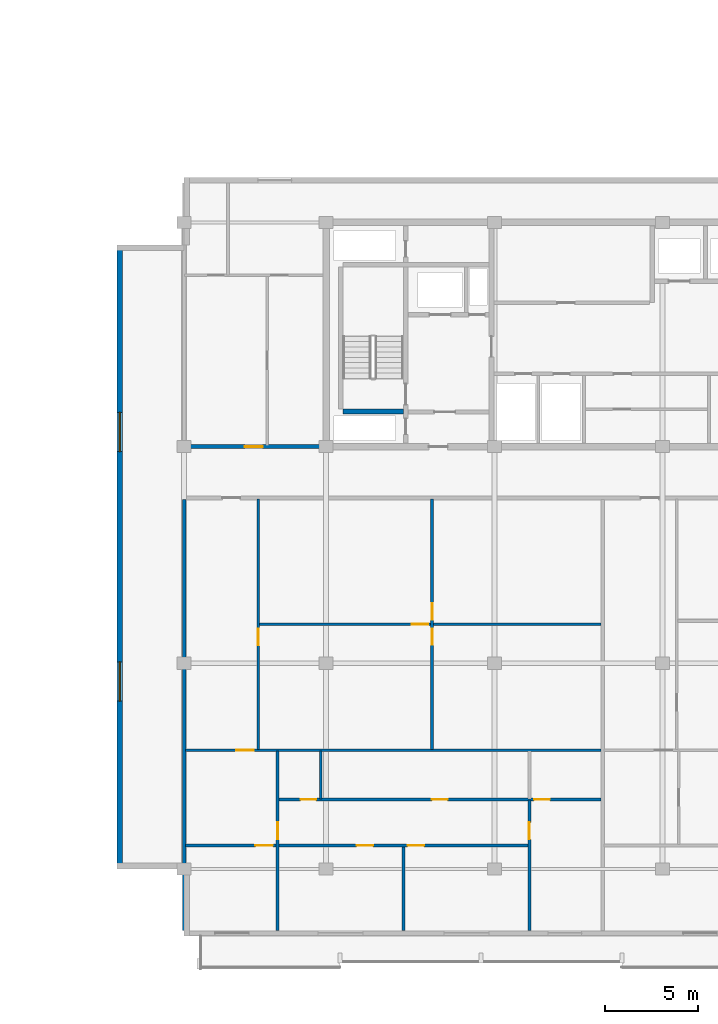
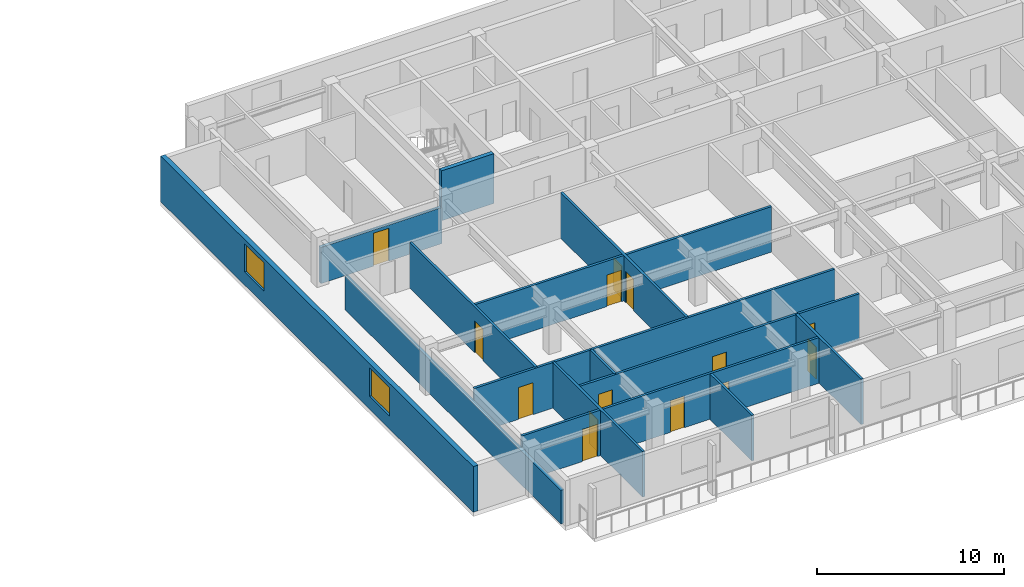
# One storey, part 4 of 22: 14 doors, 14 walls, 2 windows, 16 openings.
"""IFC4 building model written with IfcOpenShell, lengths in metres."""

from ifc_helpers import new_model, si_unit, direction, frame, frame_2d, origin, place, context, subcontext, project, spatial, rectangle, extrude, material, layer, layer_set, type_object, element, fill, save


model = new_model("IFC4")

# Units and contexts
model_context = context("Model", 3, precision=1e-05, world=origin(), true_north=direction((0.0, 1.0)))
body_context = subcontext(model_context, "Body", "Model", "MODEL_VIEW")
ifc_project = project(units=[si_unit("LENGTHUNIT", "METRE"), si_unit("AREAUNIT", "SQUARE_METRE"), si_unit("VOLUMEUNIT", "CUBIC_METRE"), si_unit("PLANEANGLEUNIT", "RADIAN"), si_unit("MASSUNIT", "GRAM", prefix="KILO")], contexts=[model_context])

# Site, building, storey
site_placement = place(None, origin())
site = spatial("IfcSite", under=ifc_project, at=site_placement, CompositionType="ELEMENT")
building_placement = place(site_placement, origin())
building = spatial("IfcBuilding", under=site, at=building_placement, Name="Korimba Cascade Residences", CompositionType="ELEMENT")
storey_placement = place(building_placement, frame((0.0, 0.0, 191.35009765625)))
storey = spatial("IfcBuildingStorey", under=building, at=storey_placement, Name="L55", CompositionType="ELEMENT", Elevation=191.35009765625)

# Wall, openings, windows
ifc_material_1 = material(Name="Precast concrete C40/50", Category="concrete")
ifc_layer_1 = layer(ifc_material_1, 0.300048828125)
ifc_layer_set_1 = layer_set([ifc_layer_1], Name="Precast concrete C40/50")
wall_type_1 = type_object("IfcWallType", Name="EW-STONE-300", PredefinedType="STANDARD", material=ifc_layer_set_1)
wall_1_placement = place(storey_placement, frame((71.050048828125, 29.199951171875, 0.0), z_axis=(0.0, 0.0, 1.0), x_axis=(0.0, -1.0, 0.0)))
wall_1 = element("IfcWall", 1, at=wall_1_placement, inside=storey, type_object=wall_type_1, Name="L55 T2 Perimeter Stone Wall E09", PredefinedType="STANDARD", context=body_context, shape_type="SweptSolid", body=[
    extrude(rectangle(XDim=33.39990234375, YDim=0.300048828125, at=frame_2d((16.699951171875, 0.0))), origin(), (0.0, 0.0, 1.0), 2.969970703125),
])
opening_1_placement = place(wall_1_placement, frame((8.969970703125, 0.0, 0.85009765625)))
opening_1 = element("IfcOpeningElement", 2, at=opening_1_placement, cuts=wall_1, Name="Opening W-03", PredefinedType="OPENING", context=body_context, shape_type="SweptSolid", body=[
    extrude(rectangle(XDim=2.10009765625, YDim=1.85009765625, at=frame_2d((1.050048828125, 0.925048828125))), frame((0.0, 0.16015625, 0.0), z_axis=(0.0, -1.0, 0.0), x_axis=(1.0, 0.0, 0.0)), (0.0, 0.0, 1.0), 0.320068359375),
])
opening_2_placement = place(wall_1_placement, frame((22.330078125, 0.0, 0.85009765625)))
opening_2 = element("IfcOpeningElement", 3, at=opening_2_placement, cuts=wall_1, Name="Opening W-03", PredefinedType="OPENING", context=body_context, shape_type="SweptSolid", body=[
    extrude(rectangle(XDim=2.10009765625, YDim=1.85009765625, at=frame_2d((1.050048828125, 0.925048828125))), frame((0.0, 0.16015625, 0.0), z_axis=(0.0, -1.0, 0.0), x_axis=(1.0, 0.0, 0.0)), (0.0, 0.0, 1.0), 0.320068359375),
])
ifc_material_2 = material(Name="Double-Glazed Aluminium Window", Category="aluminium")
window_type = type_object("IfcWindowType", Name="WIN-CRN-2100", PartitioningType="DOUBLE_PANEL_HORIZONTAL", PredefinedType="WINDOW", material=ifc_material_2)
window_1_placement = place(opening_1_placement, origin())
window_1 = element("IfcWindow", 4, at=window_1_placement, inside=storey, type_object=window_type, Name="L55 T2 End View Window 9.1", OverallHeight=1.85009765625, OverallWidth=2.10009765625, PartitioningType="DOUBLE_PANEL_HORIZONTAL", PredefinedType="WINDOW", context=body_context, shape_type="SweptSolid", body=[
    extrude(rectangle(XDim=2.10009765625, YDim=1.85009765625, at=frame_2d((1.050048828125, 0.925048828125))), frame((0.0, 0.030029296875, 0.0), z_axis=(0.0, -1.0, 0.0), x_axis=(1.0, 0.0, 0.0)), (0.0, 0.0, 1.0), 0.06005859375),
])
fill(opening_1, window_1)
window_2_placement = place(opening_2_placement, origin())
window_2 = element("IfcWindow", 5, at=window_2_placement, inside=storey, type_object=window_type, Name="L55 T2 End View Window 9.2", OverallHeight=1.85009765625, OverallWidth=2.10009765625, PartitioningType="DOUBLE_PANEL_HORIZONTAL", PredefinedType="WINDOW", context=body_context, shape_type="SweptSolid", body=[
    extrude(rectangle(XDim=2.10009765625, YDim=1.85009765625, at=frame_2d((1.050048828125, 0.925048828125))), frame((0.0, 0.030029296875, 0.0), z_axis=(0.0, -1.0, 0.0), x_axis=(1.0, 0.0, 0.0)), (0.0, 0.0, 1.0), 0.06005859375),
])
fill(opening_2, window_2)

# Wall, opening, door
ifc_layer_2 = layer(ifc_material_1, 0.199951171875)
ifc_layer_set_2 = layer_set([ifc_layer_2], Name="Precast concrete C40/50")
wall_type_2 = type_object("IfcWallType", Name="WAL-IT-200", PredefinedType="PARTITIONING", material=ifc_layer_set_2)
wall_2_placement = place(storey_placement, frame((74.5, 18.39990234375, 0.0), z_axis=(0.0, 0.0, 1.0), x_axis=(1.0, 0.0, 0.0)))
wall_2 = element("IfcWall", 6, at=wall_2_placement, inside=storey, type_object=wall_type_2, Name="L55 Partition Wall WAL-L55-T2-FW-S", PredefinedType="PARTITIONING", context=body_context, shape_type="SweptSolid", body=[
    extrude(rectangle(XDim=7.449951171875, YDim=0.199951171875, at=frame_2d((3.72509765625, 0.0))), origin(), (0.0, 0.0, 1.0), 2.357666015625),
])
opening_3_placement = place(wall_2_placement, frame((3.25, 0.0, 0.0)))
opening_3 = element("IfcOpeningElement", 7, at=opening_3_placement, cuts=wall_2, Name="Opening D-UN1", PredefinedType="OPENING", context=body_context, shape_type="SweptSolid", body=[
    extrude(rectangle(XDim=0.949951171875, YDim=2.14990234375, at=frame_2d((0.47509765625, 1.074951171875))), frame((0.0, 0.10986328125, 0.0), z_axis=(0.0, -1.0, 0.0), x_axis=(1.0, 0.0, 0.0)), (0.0, 0.0, 1.0), 0.219970703125),
])
ifc_material_3 = material(Name="Fire-Rated Hardwood Apartment Entrance Door", Category="wood")
door_type_1 = type_object("IfcDoorType", Name="DR-FD60-950", OperationType="NOTDEFINED", PredefinedType="DOOR", material=ifc_material_3)
door_1_placement = place(opening_3_placement, origin())
door_1 = element("IfcDoor", 8, at=door_1_placement, inside=storey, type_object=door_type_1, Name="L55-T2-FW Entrance Door", OperationType="SINGLE_SWING_RIGHT", OverallHeight=2.14990234375, OverallWidth=0.949951171875, PredefinedType="DOOR", context=body_context, shape_type="SweptSolid", body=[
    extrude(rectangle(XDim=0.949951171875, YDim=2.14990234375, at=frame_2d((0.47509765625, 1.074951171875))), frame((0.0, 0.02490234375, 0.0), z_axis=(0.0, -1.0, 0.0), x_axis=(1.0, 0.0, 0.0)), (0.0, 0.0, 1.0), 0.050048828125),
])
fill(opening_3, door_1)

# Wall
wall_3_placement = place(storey_placement, frame((74.5, -7.5, 0.0), z_axis=(0.0, 0.0, 1.0), x_axis=(0.0, 1.0, 0.0)))
element("IfcWall", 9, at=wall_3_placement, inside=storey, type_object=wall_type_2, Name="L55 Partition Wall WAL-L55-T2-BNDWL", PredefinedType="PARTITIONING", context=body_context, shape_type="SweptSolid", body=[
    extrude(rectangle(XDim=23.070068359375, YDim=0.199951171875, at=frame_2d((11.53515625, 0.0))), origin(), (0.0, 0.0, 1.0), 2.2001953125),
])

# Wall, openings, doors
ifc_material_4 = material(Name="Insulated Acoustic Stud Partition", Category="gypsum")
ifc_layer_3 = layer(ifc_material_4, 0.14990234375)
ifc_layer_set_3 = layer_set([ifc_layer_3], Name="Insulated Acoustic Stud Partition")
wall_type_3 = type_object("IfcWallType", Name="WAL-PART-150", PredefinedType="PARTITIONING", material=ifc_layer_set_3)
wall_4_placement = place(storey_placement, frame((87.7744140625, 2.18994140625, 0.0), z_axis=(0.0, 0.0, 1.0), x_axis=(0.0, 1.0, 0.0)))
wall_4 = element("IfcWall", 10, at=wall_4_placement, inside=storey, type_object=wall_type_3, Name="L55 Partition Wall WAL-L55-T2-U01-FMV", PredefinedType="PARTITIONING", context=body_context, shape_type="SweptSolid", body=[
    extrude(rectangle(XDim=13.400146484375, YDim=0.14990234375, at=frame_2d((6.7001953125, 0.0))), origin(), (0.0, 0.0, 1.0), 2.969970703125),
])
opening_4_placement = place(wall_4_placement, frame((5.610107421875, 0.0, 0.0)))
opening_4 = element("IfcOpeningElement", 11, at=opening_4_placement, cuts=wall_4, Name="Opening D-BT1", PredefinedType="OPENING", context=body_context, shape_type="SweptSolid", body=[
    extrude(rectangle(XDim=0.840087890625, YDim=2.0400390625, at=frame_2d((0.419921875, 1.02001953125))), frame((0.0, 0.0849609375, 0.0), z_axis=(0.0, -1.0, 0.0), x_axis=(1.0, 0.0, 0.0)), (0.0, 0.0, 1.0), 0.169921875),
])
opening_5_placement = place(wall_4_placement, frame((6.949951171875, 0.0, 0.0)))
opening_5 = element("IfcOpeningElement", 12, at=opening_5_placement, cuts=wall_4, Name="Opening D-IN2", PredefinedType="OPENING", context=body_context, shape_type="SweptSolid", body=[
    extrude(rectangle(XDim=0.8798828125, YDim=2.06005859375, at=frame_2d((0.43994140625, 1.030029296875))), frame((0.0, 0.0849609375, 0.0), z_axis=(0.0, -1.0, 0.0), x_axis=(1.0, 0.0, 0.0)), (0.0, 0.0, 1.0), 0.169921875),
])
ifc_material_5 = material(Name="Moisture-Resistant Bathroom Timber Door", Category="wood")
door_type_2 = type_object("IfcDoorType", Name="DR-INT-850", OperationType="NOTDEFINED", PredefinedType="DOOR", material=ifc_material_5)
door_2_placement = place(opening_4_placement, origin())
door_2 = element("IfcDoor", 13, at=door_2_placement, inside=storey, type_object=door_type_2, Name="L55-T2-U01 Wardrobe Door", OperationType="SINGLE_SWING_LEFT", OverallHeight=2.0400390625, OverallWidth=0.840087890625, PredefinedType="DOOR", context=body_context, shape_type="SweptSolid", body=[
    extrude(rectangle(XDim=0.840087890625, YDim=2.0400390625, at=frame_2d((0.419921875, 1.02001953125))), frame((0.0, 0.02490234375, 0.0), z_axis=(0.0, -1.0, 0.0), x_axis=(1.0, 0.0, 0.0)), (0.0, 0.0, 1.0), 0.050048828125),
])
fill(opening_4, door_2)
ifc_material_6 = material(Name="Acoustic Timber Bedroom Door", Category="wood")
door_type_3 = type_object("IfcDoorType", Name="DR-INT-880", OperationType="NOTDEFINED", PredefinedType="DOOR", material=ifc_material_6)
door_3_placement = place(opening_5_placement, origin())
door_3 = element("IfcDoor", 14, at=door_3_placement, inside=storey, type_object=door_type_3, Name="L55-T2-U01 Music Lounge Door", OperationType="SINGLE_SWING_RIGHT", OverallHeight=2.06005859375, OverallWidth=0.8798828125, PredefinedType="DOOR", context=body_context, shape_type="SweptSolid", body=[
    extrude(rectangle(XDim=0.8798828125, YDim=2.06005859375, at=frame_2d((0.43994140625, 1.030029296875))), frame((0.0, 0.02490234375, 0.0), z_axis=(0.0, -1.0, 0.0), x_axis=(1.0, 0.0, 0.0)), (0.0, 0.0, 1.0), 0.050048828125),
])
fill(opening_5, door_3)

# Wall, opening, door
wall_5_placement = place(storey_placement, frame((78.530029296875, 8.889892578125, 0.0), z_axis=(0.0, 0.0, 1.0), x_axis=(1.0, 0.0, 0.0)))
wall_5 = element("IfcWall", 15, at=wall_5_placement, inside=storey, type_object=wall_type_3, Name="L55 Partition Wall WAL-L55-T2-U01-FMH", PredefinedType="PARTITIONING", context=body_context, shape_type="SweptSolid", body=[
    extrude(rectangle(XDim=18.2890625, YDim=0.14990234375, at=frame_2d((9.14453125, 0.0))), origin(), (0.0, 0.0, 1.0), 2.969970703125),
])
opening_6_placement = place(wall_5_placement, frame((8.14453125, 0.0, 0.0)))
opening_6 = element("IfcOpeningElement", 16, at=opening_6_placement, cuts=wall_5, Name="Opening D-IN2", PredefinedType="OPENING", context=body_context, shape_type="SweptSolid", body=[
    extrude(rectangle(XDim=0.8798828125, YDim=2.06005859375, at=frame_2d((0.43994140625, 1.030029296875))), frame((0.0, 0.0849609375, 0.0), z_axis=(0.0, -1.0, 0.0), x_axis=(1.0, 0.0, 0.0)), (0.0, 0.0, 1.0), 0.169921875),
])
door_4_placement = place(opening_6_placement, origin())
door_4 = element("IfcDoor", 17, at=door_4_placement, inside=storey, type_object=door_type_3, Name="L55-T2-U01 Library Salon Door", OperationType="SINGLE_SWING_LEFT", OverallHeight=2.06005859375, OverallWidth=0.8798828125, PredefinedType="DOOR", context=body_context, shape_type="SweptSolid", body=[
    extrude(rectangle(XDim=0.8798828125, YDim=2.06005859375, at=frame_2d((0.43994140625, 1.030029296875))), frame((0.0, 0.02490234375, 0.0), z_axis=(0.0, -1.0, 0.0), x_axis=(1.0, 0.0, 0.0)), (0.0, 0.0, 1.0), 0.050048828125),
])
fill(opening_6, door_4)

wall_6_placement = place(storey_placement, frame((78.469970703125, 2.18994140625, 0.0), z_axis=(0.0, 0.0, 1.0), x_axis=(0.0, 1.0, 0.0)))
wall_6 = element("IfcWall", 18, at=wall_6_placement, inside=storey, type_object=wall_type_3, Name="L55 Partition Wall WAL-L55-T2-U01-FV", PredefinedType="PARTITIONING", context=body_context, shape_type="SweptSolid", body=[
    extrude(rectangle(XDim=13.400146484375, YDim=0.14990234375, at=frame_2d((6.7001953125, 0.0))), origin(), (0.0, 0.0, 1.0), 2.969970703125),
])
opening_7_placement = place(wall_6_placement, frame((5.570068359375, 0.0, 0.0)))
opening_7 = element("IfcOpeningElement", 19, at=opening_7_placement, cuts=wall_6, Name="Opening D-IN2", PredefinedType="OPENING", context=body_context, shape_type="SweptSolid", body=[
    extrude(rectangle(XDim=0.8798828125, YDim=2.06005859375, at=frame_2d((0.43994140625, 1.030029296875))), frame((0.0, 0.0849609375, 0.0), z_axis=(0.0, -1.0, 0.0), x_axis=(1.0, 0.0, 0.0)), (0.0, 0.0, 1.0), 0.169921875),
])
door_5_placement = place(opening_7_placement, origin())
door_5 = element("IfcDoor", 20, at=door_5_placement, inside=storey, type_object=door_type_3, Name="L55-T2-U01 Media Lounge Door", OperationType="SINGLE_SWING_RIGHT", OverallHeight=2.06005859375, OverallWidth=0.8798828125, PredefinedType="DOOR", context=body_context, shape_type="SweptSolid", body=[
    extrude(rectangle(XDim=0.8798828125, YDim=2.06005859375, at=frame_2d((0.43994140625, 1.030029296875))), frame((0.0, 0.02490234375, 0.0), z_axis=(0.0, -1.0, 0.0), x_axis=(1.0, 0.0, 0.0)), (0.0, 0.0, 1.0), 0.050048828125),
])
fill(opening_7, door_5)

# Walls
wall_7_placement = place(storey_placement, frame((81.81005859375, -0.469970703125, 0.0), z_axis=(0.0, 0.0, 1.0), x_axis=(0.0, 1.0, 0.0)))
element("IfcWall", 21, at=wall_7_placement, inside=storey, type_object=wall_type_3, Name="L55 Partition Wall WAL-L55-T2-U01-VDRS", PredefinedType="PARTITIONING", context=body_context, shape_type="SweptSolid", body=[
    extrude(rectangle(XDim=2.580078125, YDim=0.14990234375, at=frame_2d((1.2900390625, 0.0))), origin(), (0.0, 0.0, 1.0), 2.969970703125),
])
wall_8_placement = place(storey_placement, frame((86.239990234375, -7.5, 0.0), z_axis=(0.0, 0.0, 1.0), x_axis=(0.0, 1.0, 0.0)))
element("IfcWall", 22, at=wall_8_placement, inside=storey, type_object=wall_type_3, Name="L55 Partition Wall WAL-L55-T2-U01-VB3", PredefinedType="PARTITIONING", context=body_context, shape_type="SweptSolid", body=[
    extrude(rectangle(XDim=4.469970703125, YDim=0.14990234375, at=frame_2d((2.23486328125, 0.0))), origin(), (0.0, 0.0, 1.0), 2.969970703125),
])

# Wall, opening, door
wall_9_placement = place(storey_placement, frame((79.5, -7.5, 0.0), z_axis=(0.0, 0.0, 1.0), x_axis=(0.0, 1.0, 0.0)))
wall_9 = element("IfcWall", 23, at=wall_9_placement, inside=storey, type_object=wall_type_3, Name="L55 Partition Wall WAL-L55-T2-U01-V1", PredefinedType="PARTITIONING", context=body_context, shape_type="SweptSolid", body=[
    extrude(rectangle(XDim=9.610107421875, YDim=0.14990234375, at=frame_2d((4.80517578125, 0.0))), origin(), (0.0, 0.0, 1.0), 2.969970703125),
])
opening_8_placement = place(wall_9_placement, frame((4.8701171875, 0.0, 0.0)))
opening_8 = element("IfcOpeningElement", 24, at=opening_8_placement, cuts=wall_9, Name="Opening D-IN1", PredefinedType="OPENING", context=body_context, shape_type="SweptSolid", body=[
    extrude(rectangle(XDim=0.919921875, YDim=2.080078125, at=frame_2d((0.4599609375, 1.0400390625))), frame((0.0, 0.0849609375, 0.0), z_axis=(0.0, -1.0, 0.0), x_axis=(1.0, 0.0, 0.0)), (0.0, 0.0, 1.0), 0.169921875),
])
ifc_material_7 = material(Name="Acoustic Timber Living Door", Category="wood")
door_type_4 = type_object("IfcDoorType", Name="DR-INT-920", OperationType="NOTDEFINED", PredefinedType="DOOR", material=ifc_material_7)
door_6_placement = place(opening_8_placement, origin())
door_6 = element("IfcDoor", 25, at=door_6_placement, inside=storey, type_object=door_type_4, Name="L55-T2-U01 Hallway Door", OperationType="SINGLE_SWING_LEFT", OverallHeight=2.080078125, OverallWidth=0.919921875, PredefinedType="DOOR", context=body_context, shape_type="SweptSolid", body=[
    extrude(rectangle(XDim=0.919921875, YDim=2.080078125, at=frame_2d((0.4599609375, 1.0400390625))), frame((0.0, 0.02490234375, 0.0), z_axis=(0.0, -1.0, 0.0), x_axis=(1.0, 0.0, 0.0)), (0.0, 0.0, 1.0), 0.050048828125),
])
fill(opening_8, door_6)

wall_10_placement = place(storey_placement, frame((92.97998046875, -7.5, 0.0), z_axis=(0.0, 0.0, 1.0), x_axis=(0.0, 1.0, 0.0)))
wall_10 = element("IfcWall", 26, at=wall_10_placement, inside=storey, type_object=wall_type_3, Name="L55 Partition Wall WAL-L55-T2-U01-V2FULL", PredefinedType="PARTITIONING", context=body_context, shape_type="SweptSolid", body=[
    extrude(rectangle(XDim=6.989990234375, YDim=0.14990234375, at=frame_2d((3.4951171875, 0.0))), origin(), (0.0, 0.0, 1.0), 2.969970703125),
])
opening_9_placement = place(wall_10_placement, frame((4.8701171875, 0.0, 0.0)))
opening_9 = element("IfcOpeningElement", 27, at=opening_9_placement, cuts=wall_10, Name="Opening D-IN1", PredefinedType="OPENING", context=body_context, shape_type="SweptSolid", body=[
    extrude(rectangle(XDim=0.919921875, YDim=2.080078125, at=frame_2d((0.4599609375, 1.0400390625))), frame((0.0, 0.0849609375, 0.0), z_axis=(0.0, -1.0, 0.0), x_axis=(1.0, 0.0, 0.0)), (0.0, 0.0, 1.0), 0.169921875),
])
door_7_placement = place(opening_9_placement, origin())
door_7 = element("IfcDoor", 28, at=door_7_placement, inside=storey, type_object=door_type_4, Name="L55-T2-U01 Master Bedroom Door", OperationType="SINGLE_SWING_RIGHT", OverallHeight=2.080078125, OverallWidth=0.919921875, PredefinedType="DOOR", context=body_context, shape_type="SweptSolid", body=[
    extrude(rectangle(XDim=0.919921875, YDim=2.080078125, at=frame_2d((0.4599609375, 1.0400390625))), frame((0.0, 0.02490234375, 0.0), z_axis=(0.0, -1.0, 0.0), x_axis=(1.0, 0.0, 0.0)), (0.0, 0.0, 1.0), 0.050048828125),
])
fill(opening_9, door_7)

# Wall, openings, doors
wall_11_placement = place(storey_placement, frame((79.5400390625, -0.489990234375, 0.0), z_axis=(0.0, 0.0, 1.0), x_axis=(1.0, 0.0, 0.0)))
wall_11 = element("IfcWall", 29, at=wall_11_placement, inside=storey, type_object=wall_type_3, Name="L55 Partition Wall WAL-L55-T2-U01-HWALL", PredefinedType="PARTITIONING", context=body_context, shape_type="SweptSolid", body=[
    extrude(rectangle(XDim=17.279052734375, YDim=0.14990234375, at=frame_2d((8.6396484375, 0.0))), origin(), (0.0, 0.0, 1.0), 2.969970703125),
])
opening_10_placement = place(wall_11_placement, frame((1.19091796875, 0.0, 0.0)))
opening_10 = element("IfcOpeningElement", 30, at=opening_10_placement, cuts=wall_11, Name="Opening D-BT1", PredefinedType="OPENING", context=body_context, shape_type="SweptSolid", body=[
    extrude(rectangle(XDim=0.840087890625, YDim=2.0400390625, at=frame_2d((0.419921875, 1.02001953125))), frame((0.0, 0.0849609375, 0.0), z_axis=(0.0, -1.0, 0.0), x_axis=(1.0, 0.0, 0.0)), (0.0, 0.0, 1.0), 0.169921875),
])
opening_11_placement = place(wall_11_placement, frame((8.219482421875, 0.0, 0.0)))
opening_11 = element("IfcOpeningElement", 31, at=opening_11_placement, cuts=wall_11, Name="Opening D-BT1", PredefinedType="OPENING", context=body_context, shape_type="SweptSolid", body=[
    extrude(rectangle(XDim=0.840087890625, YDim=2.0400390625, at=frame_2d((0.419921875, 1.02001953125))), frame((0.0, 0.0849609375, 0.0), z_axis=(0.0, -1.0, 0.0), x_axis=(1.0, 0.0, 0.0)), (0.0, 0.0, 1.0), 0.169921875),
])
opening_12_placement = place(wall_11_placement, frame((13.68994140625, 0.0, 0.0)))
opening_12 = element("IfcOpeningElement", 32, at=opening_12_placement, cuts=wall_11, Name="Opening D-BT1", PredefinedType="OPENING", context=body_context, shape_type="SweptSolid", body=[
    extrude(rectangle(XDim=0.840087890625, YDim=2.0400390625, at=frame_2d((0.419921875, 1.02001953125))), frame((0.0, 0.0849609375, 0.0), z_axis=(0.0, -1.0, 0.0), x_axis=(1.0, 0.0, 0.0)), (0.0, 0.0, 1.0), 0.169921875),
])
door_8_placement = place(opening_10_placement, origin())
door_8 = element("IfcDoor", 33, at=door_8_placement, inside=storey, type_object=door_type_2, Name="L55-T2-U01 Family Bathroom Door", OperationType="SINGLE_SWING_LEFT", OverallHeight=2.0400390625, OverallWidth=0.840087890625, PredefinedType="DOOR", context=body_context, shape_type="SweptSolid", body=[
    extrude(rectangle(XDim=0.840087890625, YDim=2.0400390625, at=frame_2d((0.419921875, 1.02001953125))), frame((0.0, 0.02490234375, 0.0), z_axis=(0.0, -1.0, 0.0), x_axis=(1.0, 0.0, 0.0)), (0.0, 0.0, 1.0), 0.050048828125),
])
fill(opening_10, door_8)
door_9_placement = place(opening_11_placement, origin())
door_9 = element("IfcDoor", 34, at=door_9_placement, inside=storey, type_object=door_type_2, Name="L55-T2-U01 Dressing Room Door", OperationType="SINGLE_SWING_RIGHT", OverallHeight=2.0400390625, OverallWidth=0.840087890625, PredefinedType="DOOR", context=body_context, shape_type="SweptSolid", body=[
    extrude(rectangle(XDim=0.840087890625, YDim=2.0400390625, at=frame_2d((0.419921875, 1.02001953125))), frame((0.0, 0.02490234375, 0.0), z_axis=(0.0, -1.0, 0.0), x_axis=(1.0, 0.0, 0.0)), (0.0, 0.0, 1.0), 0.050048828125),
])
fill(opening_11, door_9)
door_10_placement = place(opening_12_placement, origin())
door_10 = element("IfcDoor", 35, at=door_10_placement, inside=storey, type_object=door_type_2, Name="L55-T2-U01 En-Suite Door", OperationType="SINGLE_SWING_LEFT", OverallHeight=2.0400390625, OverallWidth=0.840087890625, PredefinedType="DOOR", context=body_context, shape_type="SweptSolid", body=[
    extrude(rectangle(XDim=0.840087890625, YDim=2.0400390625, at=frame_2d((0.419921875, 1.02001953125))), frame((0.0, 0.02490234375, 0.0), z_axis=(0.0, -1.0, 0.0), x_axis=(1.0, 0.0, 0.0)), (0.0, 0.0, 1.0), 0.050048828125),
])
fill(opening_12, door_10)

# Wall, opening, door
wall_12_placement = place(storey_placement, frame((74.580078125, 2.14990234375, 0.0), z_axis=(0.0, 0.0, 1.0), x_axis=(1.0, 0.0, 0.0)))
wall_12 = element("IfcWall", 36, at=wall_12_placement, inside=storey, type_object=wall_type_3, Name="L55 Partition Wall WAL-L55-T2-U01-MW", PredefinedType="PARTITIONING", context=body_context, shape_type="SweptSolid", body=[
    extrude(rectangle(XDim=22.239013671875, YDim=0.14990234375, at=frame_2d((11.11962890625, 0.0))), origin(), (0.0, 0.0, 1.0), 2.969970703125),
])
opening_13_placement = place(wall_12_placement, frame((2.719970703125, 0.0, 0.0)))
opening_13 = element("IfcOpeningElement", 37, at=opening_13_placement, cuts=wall_12, Name="Opening D-IN1", PredefinedType="OPENING", context=body_context, shape_type="SweptSolid", body=[
    extrude(rectangle(XDim=0.919921875, YDim=2.080078125, at=frame_2d((0.4599609375, 1.0400390625))), frame((0.0, 0.0849609375, 0.0), z_axis=(0.0, -1.0, 0.0), x_axis=(1.0, 0.0, 0.0)), (0.0, 0.0, 1.0), 0.169921875),
])
door_11_placement = place(opening_13_placement, origin())
door_11 = element("IfcDoor", 38, at=door_11_placement, inside=storey, type_object=door_type_4, Name="L55-T2-U01 Kitchen Door", OperationType="SINGLE_SWING_RIGHT", OverallHeight=2.080078125, OverallWidth=0.919921875, PredefinedType="DOOR", context=body_context, shape_type="SweptSolid", body=[
    extrude(rectangle(XDim=0.919921875, YDim=2.080078125, at=frame_2d((0.4599609375, 1.0400390625))), frame((0.0, 0.02490234375, 0.0), z_axis=(0.0, -1.0, 0.0), x_axis=(1.0, 0.0, 0.0)), (0.0, 0.0, 1.0), 0.050048828125),
])
fill(opening_13, door_11)

# Wall, openings, doors
wall_13_placement = place(storey_placement, frame((74.580078125, -2.949951171875, 0.0), z_axis=(0.0, 0.0, 1.0), x_axis=(1.0, 0.0, 0.0)))
wall_13 = element("IfcWall", 39, at=wall_13_placement, inside=storey, type_object=wall_type_3, Name="L55 Partition Wall WAL-L55-T2-U01-HZ", PredefinedType="PARTITIONING", context=body_context, shape_type="SweptSolid", body=[
    extrude(rectangle(XDim=18.39990234375, YDim=0.14990234375, at=frame_2d((9.199951171875, 0.0))), origin(), (0.0, 0.0, 1.0), 2.969970703125),
])
opening_14_placement = place(wall_13_placement, frame((3.72998046875, 0.0, 0.0)))
opening_14 = element("IfcOpeningElement", 40, at=opening_14_placement, cuts=wall_13, Name="Opening D-IN0", PredefinedType="OPENING", context=body_context, shape_type="SweptSolid", body=[
    extrude(rectangle(XDim=0.93994140625, YDim=2.10009765625, at=frame_2d((0.469970703125, 1.050048828125))), frame((0.0, 0.0849609375, 0.0), z_axis=(0.0, -1.0, 0.0), x_axis=(1.0, 0.0, 0.0)), (0.0, 0.0, 1.0), 0.169921875),
])
opening_15_placement = place(wall_13_placement, frame((9.15087890625, 0.0, 0.0)))
opening_15 = element("IfcOpeningElement", 41, at=opening_15_placement, cuts=wall_13, Name="Opening D-IN2", PredefinedType="OPENING", context=body_context, shape_type="SweptSolid", body=[
    extrude(rectangle(XDim=0.8798828125, YDim=2.06005859375, at=frame_2d((0.43994140625, 1.030029296875))), frame((0.0, 0.0849609375, 0.0), z_axis=(0.0, -1.0, 0.0), x_axis=(1.0, 0.0, 0.0)), (0.0, 0.0, 1.0), 0.169921875),
])
opening_16_placement = place(wall_13_placement, frame((11.8798828125, 0.0, 0.0)))
opening_16 = element("IfcOpeningElement", 42, at=opening_16_placement, cuts=wall_13, Name="Opening D-IN2", PredefinedType="OPENING", context=body_context, shape_type="SweptSolid", body=[
    extrude(rectangle(XDim=0.8798828125, YDim=2.06005859375, at=frame_2d((0.43994140625, 1.030029296875))), frame((0.0, 0.0849609375, 0.0), z_axis=(0.0, -1.0, 0.0), x_axis=(1.0, 0.0, 0.0)), (0.0, 0.0, 1.0), 0.169921875),
])
door_12_placement = place(opening_15_placement, origin())
door_12 = element("IfcDoor", 43, at=door_12_placement, inside=storey, type_object=door_type_3, Name="L55-T2-U01 Bedroom 2 Door", OperationType="SINGLE_SWING_RIGHT", OverallHeight=2.06005859375, OverallWidth=0.8798828125, PredefinedType="DOOR", context=body_context, shape_type="SweptSolid", body=[
    extrude(rectangle(XDim=0.8798828125, YDim=2.06005859375, at=frame_2d((0.43994140625, 1.030029296875))), frame((0.0, 0.02490234375, 0.0), z_axis=(0.0, -1.0, 0.0), x_axis=(1.0, 0.0, 0.0)), (0.0, 0.0, 1.0), 0.050048828125),
])
fill(opening_15, door_12)
door_13_placement = place(opening_16_placement, origin())
door_13 = element("IfcDoor", 44, at=door_13_placement, inside=storey, type_object=door_type_3, Name="L55-T2-U01 Bedroom 3 Door", OperationType="SINGLE_SWING_LEFT", OverallHeight=2.06005859375, OverallWidth=0.8798828125, PredefinedType="DOOR", context=body_context, shape_type="SweptSolid", body=[
    extrude(rectangle(XDim=0.8798828125, YDim=2.06005859375, at=frame_2d((0.43994140625, 1.030029296875))), frame((0.0, 0.02490234375, 0.0), z_axis=(0.0, -1.0, 0.0), x_axis=(1.0, 0.0, 0.0)), (0.0, 0.0, 1.0), 0.050048828125),
])
fill(opening_16, door_13)
ifc_material_8 = material(Name="Acoustic Timber Living Archway Door", Category="wood")
door_type_5 = type_object("IfcDoorType", Name="DR-INT-950", OperationType="NOTDEFINED", PredefinedType="DOOR", material=ifc_material_8)
door_14_placement = place(opening_14_placement, origin())
door_14 = element("IfcDoor", 45, at=door_14_placement, inside=storey, type_object=door_type_5, Name="L55-T2-U01 Living Room Door", OperationType="SINGLE_SWING_LEFT", OverallHeight=2.10009765625, OverallWidth=0.93994140625, PredefinedType="DOOR", context=body_context, shape_type="SweptSolid", body=[
    extrude(rectangle(XDim=0.93994140625, YDim=2.10009765625, at=frame_2d((0.469970703125, 1.050048828125))), frame((0.0, 0.02490234375, 0.0), z_axis=(0.0, -1.0, 0.0), x_axis=(1.0, 0.0, 0.0)), (0.0, 0.0, 1.0), 0.050048828125),
])
fill(opening_14, door_14)

# Wall
ifc_material_9 = material(Name="Concrete C50/60", Category="concrete")
ifc_layer_4 = layer(ifc_material_9, 0.25)
ifc_layer_set_4 = layer_set([ifc_layer_4], Name="Concrete C50/60")
wall_type_4 = type_object("IfcWallType", Name="WAL-SHAFT-250", PredefinedType="SHEAR", material=ifc_layer_set_4)
wall_14_placement = place(storey_placement, frame((83.0, 20.27490234375, 0.0), z_axis=(0.0, 0.0, 1.0), x_axis=(1.0, 0.0, 0.0)))
element("IfcWall", 46, at=wall_14_placement, inside=storey, type_object=wall_type_4, Name="L55 Core Shear Wall CW-L55-T2-STE1S", PredefinedType="SHEAR", context=body_context, shape_type="SweptSolid", body=[
    extrude(rectangle(XDim=3.239990234375, YDim=0.25, at=frame_2d((1.6201171875, 0.0))), origin(), (0.0, 0.0, 1.0), 3.25),
])

save(model, "model.ifc")
